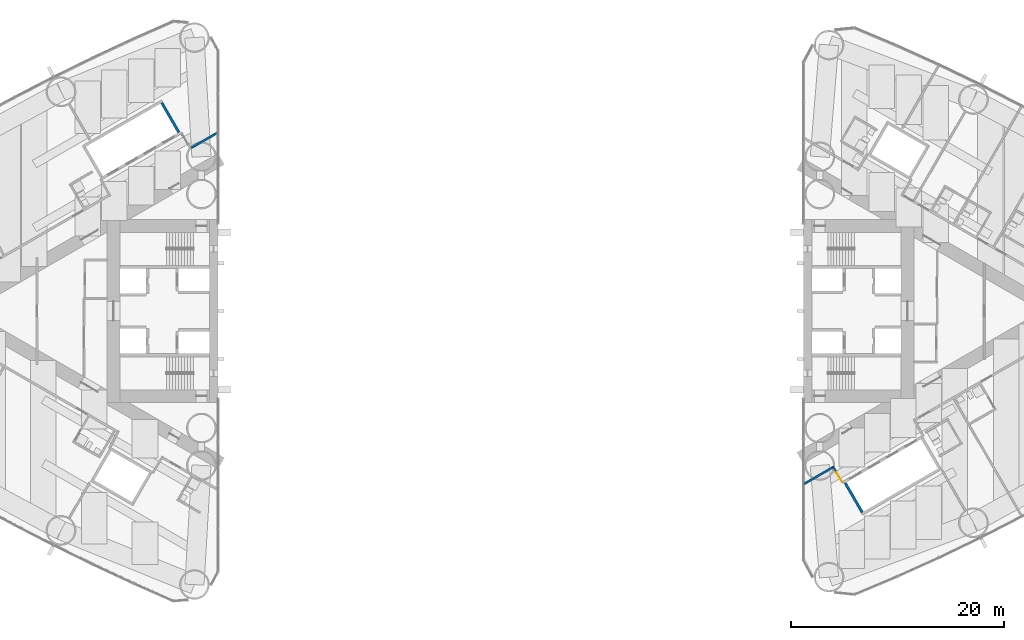
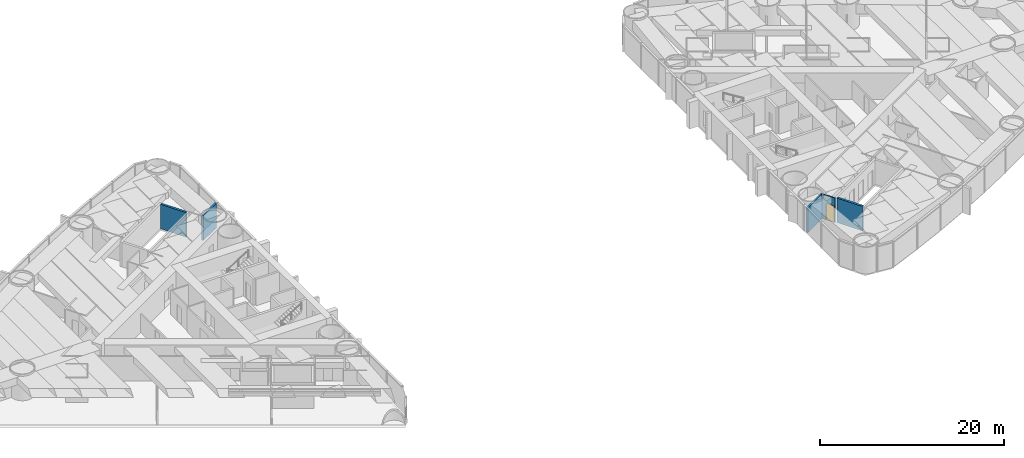
# One storey, part 13 of 19: 5 walls, 1 door, 1 opening.
"""IFC4 building model written with IfcOpenShell, lengths in metres."""

from ifc_helpers import new_model, si_unit, direction, frame, frame_2d, origin, place, context, subcontext, project, spatial, rectangle, extrude, material, layer, layer_set, type_object, element, fill, save


model = new_model("IFC4")

# Units and contexts
model_context = context("Model", 3, precision=1e-05, world=origin(), true_north=direction((0.0, 1.0)))
body_context = subcontext(model_context, "Body", "Model", "MODEL_VIEW")
ifc_project = project(units=[si_unit("LENGTHUNIT", "METRE"), si_unit("AREAUNIT", "SQUARE_METRE"), si_unit("VOLUMEUNIT", "CUBIC_METRE"), si_unit("PLANEANGLEUNIT", "RADIAN"), si_unit("MASSUNIT", "GRAM", prefix="KILO")], contexts=[model_context])

# Site, building, storey
site_placement = place(None, origin())
site = spatial("IfcSite", under=ifc_project, at=site_placement, CompositionType="ELEMENT")
building_placement = place(site_placement, origin())
building = spatial("IfcBuilding", under=site, at=building_placement, Name="Lancet Gate Hotel", CompositionType="ELEMENT")
storey_placement = place(building_placement, frame((0.0, 0.0, 39.0)))
storey = spatial("IfcBuildingStorey", under=building, at=storey_placement, Name="L09", CompositionType="ELEMENT", Elevation=39.0)

# Walls
ifc_material_1 = material(Name="Gypsum board partition")
ifc_layer_1 = layer(ifc_material_1, 0.199951171875)
ifc_layer_set_1 = layer_set([ifc_layer_1], Name="Corridor wall 200")
wall_type_1 = type_object("IfcWallType", Name="Corridor wall 200", PredefinedType="PARTITIONING", material=ifc_layer_set_1)
wall_1_placement = place(storey_placement, frame((-27.572021484375, 16.740966796875, 0.0), z_axis=(0.0, 0.0, 1.0), x_axis=(-0.866034618596, -0.499984039138, 0.0)))
element("IfcWall", 1, at=wall_1_placement, inside=storey, type_object=wall_type_1, Name="T1 corridor wall 200 L09", PredefinedType="PARTITIONING", context=body_context, shape_type="SweptSolid", body=[
    extrude(rectangle(XDim=2.8544921875, YDim=0.199951171875, at=frame_2d((1.42724609375, 0.0))), origin(), (0.0, 0.0, 1.0), 3.25),
])
wall_2_placement = place(storey_placement, frame((27.572021484375, -16.240966796875, 0.0), z_axis=(0.0, 0.0, 1.0), x_axis=(0.866029654818, 0.499992636921, 0.0)))
element("IfcWall", 2, at=wall_2_placement, inside=storey, type_object=wall_type_1, Name="T2 corridor wall 200 L09", PredefinedType="PARTITIONING", context=body_context, shape_type="SweptSolid", body=[
    extrude(rectangle(XDim=3.15478515625, YDim=0.199951171875, at=frame_2d((1.577392578125, 0.0))), origin(), (0.0, 0.0, 1.0), 3.25),
])
ifc_material_2 = material(Name="Gypsum board partition")
ifc_layer_2 = layer(ifc_material_2, 0.25)
ifc_layer_set_2 = layer_set([ifc_layer_2], Name="Lift shaft partition 250")
wall_type_2 = type_object("IfcWallType", Name="Lift shaft partition 250", PredefinedType="PARTITIONING", material=ifc_layer_set_2)
for number, where, z_axis, x_axis, name in (
    (3, (-31.18115234375, 16.79296875, 0.0), (0.0, 0.0, 1.0), (-0.499929347863, 0.866066190972, 0.0), "T1 lift shaft wall LR L09"),
    (4, (31.441162109375, -16.14306640625, 0.0), (0.0, 0.0, 1.0), (0.499929347863, -0.866066190972, 0.0), "T2 lift shaft wall LR L09"),
):
    element("IfcWall", number, at=place(storey_placement, frame(where, z_axis=z_axis, x_axis=x_axis)), inside=storey, type_object=wall_type_2, Name=name, PredefinedType="PARTITIONING", context=body_context, shape_type="SweptSolid", body=[
        extrude(rectangle(XDim=3.20068359375, YDim=0.25, at=frame_2d((1.600341796875, 0.0))), origin(), (0.0, 0.0, 1.0), 3.25),
    ])

# Wall, opening, door
ifc_material_3 = material(Name="Gypsum board partition")
ifc_layer_3 = layer(ifc_material_3, 0.14990234375)
ifc_layer_set_3 = layer_set([ifc_layer_3], Name="Service room wall 150")
wall_type_3 = type_object("IfcWallType", Name="Service room wall 150", PredefinedType="PARTITIONING", material=ifc_layer_set_3)
wall_3_placement = place(storey_placement, frame((30.26708984375, -14.5693359375, 0.0), z_axis=(0.0, 0.0, 1.0), x_axis=(0.514336634837, -0.857588377991, 0.0)))
wall_3 = element("IfcWall", 5, at=wall_3_placement, inside=storey, type_object=wall_type_3, Name="T2 service room wall 150 L09", PredefinedType="PARTITIONING", context=body_context, shape_type="SweptSolid", body=[
    extrude(rectangle(XDim=1.80517578125, YDim=0.14990234375, at=frame_2d((0.902587890625, 0.0))), origin(), (0.0, 0.0, 1.0), 3.25),
])
opening_placement = place(wall_3_placement, frame((0.702880859375, 0.0, 0.0)))
opening = element("IfcOpeningElement", 6, at=opening_placement, cuts=wall_3, Name="Opening T2-L09-LO1", PredefinedType="OPENING", context=body_context, shape_type="SweptSolid", body=[
    extrude(rectangle(XDim=1.0, YDim=2.199951171875, at=frame_2d((0.5, 1.10009765625))), frame((0.0, 0.0849609375, 0.0), z_axis=(0.0, -1.0, 0.0), x_axis=(1.0, 0.0, 0.0)), (0.0, 0.0, 1.0), 0.169921875),
])
ifc_material_4 = material(Name="Timber door set", Category="wood")
door_type = type_object("IfcDoorType", Name="Service door 1000", OperationType="SINGLE_SWING_LEFT", PredefinedType="DOOR", material=ifc_material_4)
door_placement = place(opening_placement, origin())
door = element("IfcDoor", 7, at=door_placement, inside=storey, type_object=door_type, Name="T2-L09-LO1", OperationType="SINGLE_SWING_LEFT", OverallHeight=2.199951171875, OverallWidth=1.0, PredefinedType="DOOR", context=body_context, shape_type="SweptSolid", body=[
    extrude(rectangle(XDim=1.0, YDim=2.199951171875, at=frame_2d((0.5, 1.10009765625))), frame((0.0, 0.02490234375, 0.0), z_axis=(0.0, -1.0, 0.0), x_axis=(1.0, 0.0, 0.0)), (0.0, 0.0, 1.0), 0.050048828125),
])
fill(opening, door)

save(model, "model.ifc")
